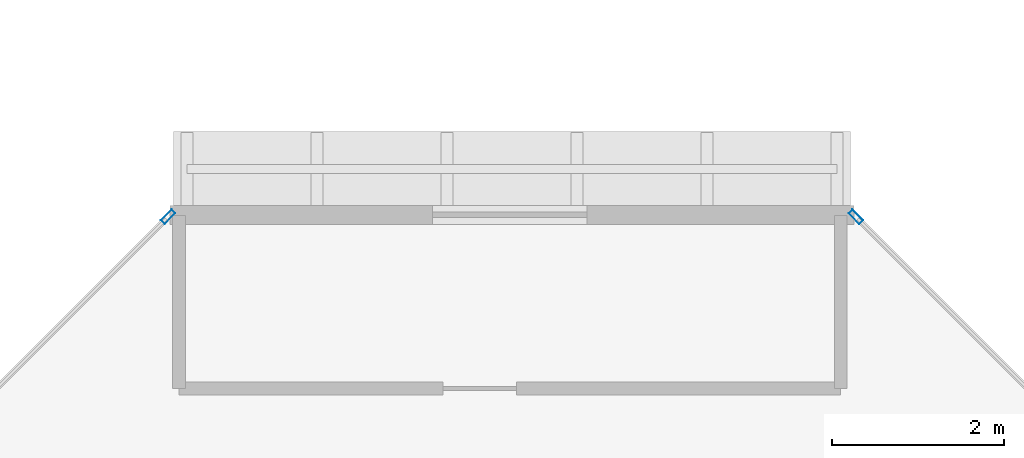
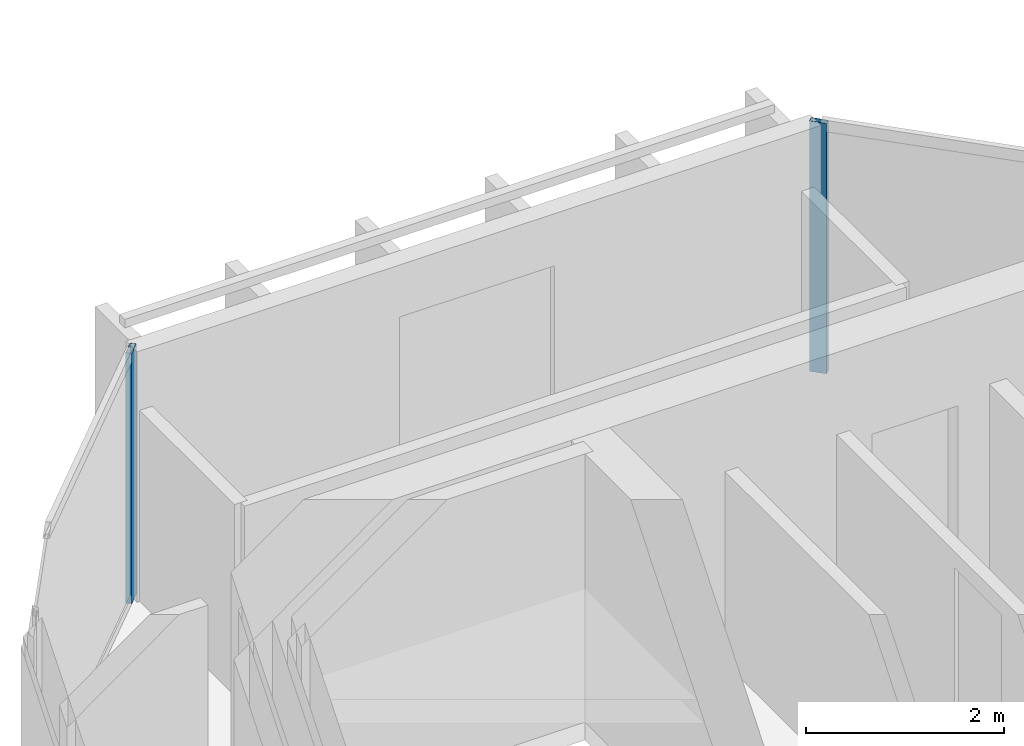
# One storey, part 12 of 28: 2 members, 2 elements without a shape of their own.
"""IFC4 building model written with IfcOpenShell, lengths in metres."""

import ifcopenshell
import ifcopenshell.guid

model = None  # the IFC model being written
_history = None  # IfcOwnerHistory: only IFC2X3 demands one
_inside = {}  # id of a spatial element -> (the spatial element, [elements in it])
_under = {}  # id of a project, library or spatial element -> (it, [spatial elements below it])
_declared = {}  # id of a project -> (the project, [libraries it declares])
_typed = {}  # id of a type object -> (the type object, [elements of that type])
_made_of = {}  # id of a material, layer set ... -> (it, [elements and type objects made of it])


def new_model(schema):
    """Start an empty IFC model of exactly this schema.

    Asked for "IFC4X3", IfcOpenShell would pick the latest addendum, in which some entities
    have other attributes; the version numbers below select the first issue.
    IFC2X3 requires an IfcOwnerHistory on every rooted entity: one is made here for all.
    """
    global model, _history
    if schema == "IFC4X3":
        model = ifcopenshell.file(schema_version=(4, 3, 0, 0))
    else:
        model = ifcopenshell.file(schema=schema)
    _inside.clear()
    _under.clear()
    _declared.clear()
    _typed.clear()
    _made_of.clear()
    _history = None
    if model.schema == "IFC2X3":
        org = make("IfcOrganization", Name="unknown")
        user = make(
            "IfcPersonAndOrganization",
            ThePerson=make("IfcPerson", FamilyName="unknown"),
            TheOrganization=org,
        )
        app = make(
            "IfcApplication",
            ApplicationDeveloper=org,
            Version="unknown",
            ApplicationFullName="unknown",
            ApplicationIdentifier="unknown",
        )
        _history = make(
            "IfcOwnerHistory",
            OwningUser=user,
            OwningApplication=app,
            ChangeAction="ADDED",
            CreationDate=0,
        )
    return model


def make(cls, **values):
    """One entity of the class cls with the attributes given. An attribute that is None is left unset."""
    return model.create_entity(
        cls, **{name: value for name, value in values.items() if value is not None}
    )


def rooted(cls, **values):
    """An entity with a GlobalId (a new one), such as an element, a storey or a relation."""
    return make(cls, GlobalId=ifcopenshell.guid.new(), OwnerHistory=_history, **values)


def si_unit(unit_type, name, prefix=None):
    """IfcSIUnit, for example si_unit("LENGTHUNIT", "METRE", prefix="MILLI")."""
    return make("IfcSIUnit", UnitType=unit_type, Prefix=prefix, Name=name)


def assignment(units):
    """IfcUnitAssignment: the units of a project."""
    return None if units is None else make("IfcUnitAssignment", Units=units)


def point(xyz):
    """IfcCartesianPoint."""
    return None if xyz is None else make("IfcCartesianPoint", Coordinates=xyz)


def direction(xyz):
    """IfcDirection."""
    return None if xyz is None else make("IfcDirection", DirectionRatios=xyz)


def frame(location, z_axis=None, x_axis=None):
    """IfcAxis2Placement3D, a coordinate frame: its origin and axes. An axis left out is left unset."""
    return make(
        "IfcAxis2Placement3D",
        Location=point(location),
        Axis=direction(z_axis),
        RefDirection=direction(x_axis),
    )


def frame_2d(location, x_axis=None):
    """IfcAxis2Placement2D, a coordinate frame in the plane: its origin and x axis."""
    return make(
        "IfcAxis2Placement2D", Location=point(location), RefDirection=direction(x_axis)
    )


def origin():
    """The frame at (0, 0, 0) with its axes left unset."""
    return frame((0.0, 0.0, 0.0))


def origin_2d():
    """The frame at (0, 0) in the plane with its x axis left unset."""
    return frame_2d((0.0, 0.0))


def place(relative_to, where):
    """IfcLocalPlacement: puts the frame where relative to a parent placement (None: the world)."""
    return make(
        "IfcLocalPlacement", PlacementRelTo=relative_to, RelativePlacement=where
    )


def context(
    kind, dimensions, precision=None, world=None, true_north=None, identifier=None
):
    """IfcGeometricRepresentationContext, for example the 3D "Model" context."""
    return make(
        "IfcGeometricRepresentationContext",
        ContextIdentifier=identifier,
        ContextType=kind,
        CoordinateSpaceDimension=dimensions,
        Precision=precision,
        WorldCoordinateSystem=world,
        TrueNorth=true_north,
    )


def subcontext(parent, identifier, kind, view, scale=None):
    """IfcGeometricRepresentationSubContext, for example "Body" below "Model"."""
    return make(
        "IfcGeometricRepresentationSubContext",
        ContextIdentifier=identifier,
        ContextType=kind,
        ParentContext=parent,
        TargetScale=scale,
        TargetView=view,
    )


def project(units=None, contexts=None):
    """IfcProject with its units and contexts."""
    return rooted(
        "IfcProject",
        Name="project",
        RepresentationContexts=contexts,
        UnitsInContext=assignment(units),
    )


def spatial(cls, under=None, at=None, **own):
    """A site, building, storey or space (cls), placed at a placement, below another one or the project."""
    s = rooted(cls, ObjectPlacement=at, **own)
    if under is not None:
        _under.setdefault(under.id(), (under, []))[1].append(s)
    return s


def profile(cls, at=None, kind="AREA", **sizes):
    """A parametric profile (cls). Its sizes go by their IFC names, for example OverallWidth=200.0."""
    return make(cls, ProfileType=kind, Position=at, **sizes)


def hollow_rectangle(**sizes):
    """IfcRectangleHollowProfileDef."""
    return profile("IfcRectangleHollowProfileDef", **sizes)


def extrude(swept, where, along, depth):
    """IfcExtrudedAreaSolid: the profile swept, set in the frame where, extruded along a direction by depth."""
    return make(
        "IfcExtrudedAreaSolid",
        SweptArea=swept,
        Position=where,
        ExtrudedDirection=direction(along),
        Depth=depth,
    )


def shape(context_of_items, identifier, shape_type, items):
    """IfcShapeRepresentation: the items that make up one representation, for example the "Body"."""
    return make(
        "IfcShapeRepresentation",
        ContextOfItems=context_of_items,
        RepresentationIdentifier=identifier,
        RepresentationType=shape_type,
        Items=items,
    )


def material(Name=None, Category=None):
    """IfcMaterial."""
    return make("IfcMaterial", Name=Name, Category=Category)


def layer(
    of_material, thickness, ventilated=None, Name=None, Category=None, Priority=None
):
    """IfcMaterialLayer: one layer of a wall or slab, of a material (None: an air gap)."""
    return make(
        "IfcMaterialLayer",
        Material=of_material,
        LayerThickness=thickness,
        IsVentilated=ventilated,
        Name=Name,
        Category=Category,
        Priority=Priority,
    )


def layer_set(layers, Name=None):
    """IfcMaterialLayerSet."""
    return make("IfcMaterialLayerSet", MaterialLayers=layers, LayerSetName=Name)


def material_profile(
    of_material, cross_section, Name=None, Category=None, Priority=None
):
    """IfcMaterialProfile: a cross section and its material."""
    return make(
        "IfcMaterialProfile",
        Name=Name,
        Material=of_material,
        Profile=cross_section,
        Priority=Priority,
        Category=Category,
    )


def profile_set(profiles, Name=None, composite=None):
    """IfcMaterialProfileSet."""
    return make(
        "IfcMaterialProfileSet",
        Name=Name,
        MaterialProfiles=profiles,
        CompositeProfile=composite,
    )


def made_of(thing, what):
    """Note that an element or type object is made of a material, layer set ...; save() writes the relation."""
    if what is not None:
        _made_of.setdefault(what.id(), (what, []))[1].append(thing)
    return thing


def type_object(cls, material=None, **own):
    """A type object (cls), such as IfcWallType, which elements share."""
    return made_of(rooted(cls, **own), material)


def element(
    cls,
    number,
    at=None,
    inside=None,
    cuts=None,
    type_object=None,
    material=None,
    context=None,
    identifier="Body",
    shape_type=None,
    held_by="IfcProductDefinitionShape",
    body=None,
    shapes=None,
    **own,
):
    """One element of the class cls, such as IfcWall. Its Tag is "e" and its number.

    at: its placement. inside: the storey or other place that contains it. cuts: it is an
    opening in that element (IfcRelVoidsElement). A single representation is given by context,
    identifier, shape_type and body (its items); several are given by shapes. held_by: the class
    of the entity that holds the representations. save() writes the other relations.
    """
    e = rooted(cls, Tag="e%d" % number, ObjectPlacement=at, **own)
    if body is not None:
        shapes = [shape(context, identifier, shape_type, body)]
    if shapes is not None:
        e.Representation = make(held_by, Representations=shapes)
    if inside is not None:
        _inside.setdefault(inside.id(), (inside, []))[1].append(e)
    if cuts is not None:
        rooted(
            "IfcRelVoidsElement", RelatingBuildingElement=cuts, RelatedOpeningElement=e
        )
    if type_object is not None:
        _typed.setdefault(type_object.id(), (type_object, []))[1].append(e)
    return made_of(e, material)


def aggregate(whole, parts):
    """IfcRelAggregates: a whole, such as a stair, and the parts it consists of."""
    return rooted("IfcRelAggregates", RelatingObject=whole, RelatedObjects=parts)


def save(model, path):
    """Write the relations noted so far, then the file.

    IfcRelAggregates (storeys below a building ...), IfcRelContainedInSpatialStructure (elements
    in a storey), IfcRelDefinesByType, IfcRelAssociatesMaterial and IfcRelDeclares: one each for
    every whole, place, type object, material and project.
    """
    for whole, parts in _under.values():
        aggregate(whole, parts)
    for where, things in _inside.values():
        rooted(
            "IfcRelContainedInSpatialStructure",
            RelatedElements=things,
            RelatingStructure=where,
        )
    for kind, things in _typed.values():
        rooted("IfcRelDefinesByType", RelatedObjects=things, RelatingType=kind)
    for what, things in _made_of.values():
        rooted("IfcRelAssociatesMaterial", RelatedObjects=things, RelatingMaterial=what)
    for by, libraries in _declared.values():
        rooted("IfcRelDeclares", RelatingContext=by, RelatedDefinitions=libraries)
    model.write(path)


model = new_model("IFC4")

# Units and contexts
model_context = context("Model", 3, precision=1e-05, world=origin(), true_north=direction((0.0, 1.0)))
body_context = subcontext(model_context, "Body", "Model", "MODEL_VIEW")
ifc_project = project(units=[si_unit("LENGTHUNIT", "METRE"), si_unit("AREAUNIT", "SQUARE_METRE"), si_unit("VOLUMEUNIT", "CUBIC_METRE"), si_unit("PLANEANGLEUNIT", "RADIAN"), si_unit("MASSUNIT", "GRAM", prefix="KILO")], contexts=[model_context])

# Site, building, storey
site_placement = place(None, origin())
site = spatial("IfcSite", under=ifc_project, at=site_placement, CompositionType="ELEMENT")
building_placement = place(site_placement, origin())
building = spatial("IfcBuilding", under=site, at=building_placement, Name="Tanjung Sevakor Pilgrim Tower", CompositionType="ELEMENT")
storey_placement = place(building_placement, frame((0.0, 0.0, 239.25)))
storey = spatial("IfcBuildingStorey", under=building, at=storey_placement, Name="L67", CompositionType="ELEMENT", Elevation=239.25)

# Curtain wall, member
ifc_material_1 = material(Name="Aluminium 6063-T6 and Low-E Glass", Category="aluminium")
ifc_layer = layer(ifc_material_1, 0.179931640625)
ifc_layer_set = layer_set([ifc_layer], Name="CW-SYS-CHAM")
curtain_wall_type = type_object("IfcCurtainWallType", Name="CW-SYS-CHAM", PredefinedType="NOTDEFINED", material=ifc_layer_set)
curtain_wall_1_placement = place(storey_placement, origin())
curtain_wall_1 = element("IfcCurtainWall", 1, at=curtain_wall_1_placement, inside=storey, type_object=curtain_wall_type, Name="L67 Curtain Wall CW-CHM-L67-WEST-3", PredefinedType="NOTDEFINED")
ifc_material_2 = material(Name="Aluminium 6063-T6", Category="aluminium")
ifc_material_profile = material_profile(ifc_material_2, hollow_rectangle(XDim=0.06494140625, YDim=0.179931640625, WallThickness=0.00390625, at=origin_2d()))
ifc_profile_set = profile_set([ifc_material_profile], Name="Aluminium 6063-T6")
member_type = type_object("IfcMemberType", Name="TYPE-CWM-1", PredefinedType="MULLION", material=ifc_profile_set)
member_1_placement = place(storey_placement, frame((32.827392578125, 46.26708984375, 0.0), z_axis=(0.0, 0.0, 1.0), x_axis=(-0.707106781187, -0.707106781187, 0.0)))
member_1 = element("IfcMember", 2, at=member_1_placement, type_object=member_type, Name="CW-CHM mullion 2", PredefinedType="MULLION", context=body_context, shape_type="SweptSolid", body=[
    extrude(hollow_rectangle(XDim=0.06494140625, YDim=0.179931640625, WallThickness=0.00390625, at=origin_2d()), origin(), (0.0, 0.0, 1.0), 3.080078125),
])
aggregate(curtain_wall_1, [member_1])

curtain_wall_2_placement = place(storey_placement, origin())
curtain_wall_2 = element("IfcCurtainWall", 3, at=curtain_wall_2_placement, inside=storey, type_object=curtain_wall_type, Name="L67 Curtain Wall CW-CHM-L67-WEST-5", PredefinedType="NOTDEFINED")
member_2_placement = place(storey_placement, frame((24.822509765625, 46.26708984375, 0.0), z_axis=(0.0, 0.0, 1.0), x_axis=(0.707106781187, -0.707106781187, 0.0)))
member_2 = element("IfcMember", 4, at=member_2_placement, type_object=member_type, Name="CW-CHM mullion 1", PredefinedType="MULLION", context=body_context, shape_type="SweptSolid", body=[
    extrude(hollow_rectangle(XDim=0.06494140625, YDim=0.179931640625, WallThickness=0.00390625, at=origin_2d()), origin(), (0.0, 0.0, 1.0), 3.080078125),
])
aggregate(curtain_wall_2, [member_2])

save(model, "model.ifc")
